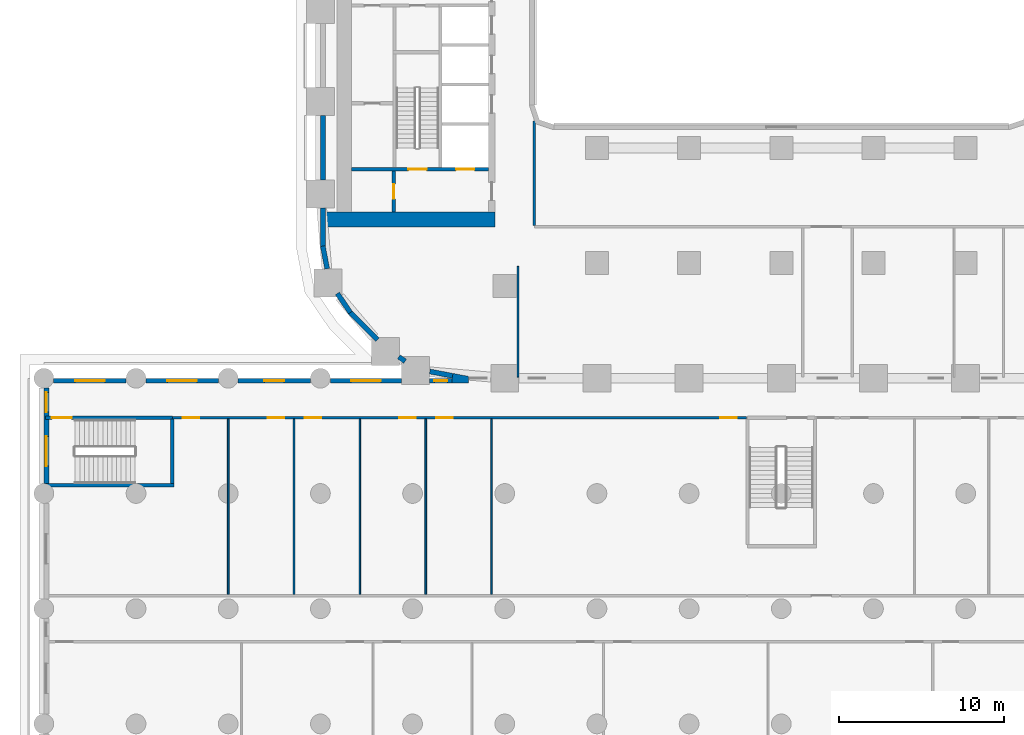
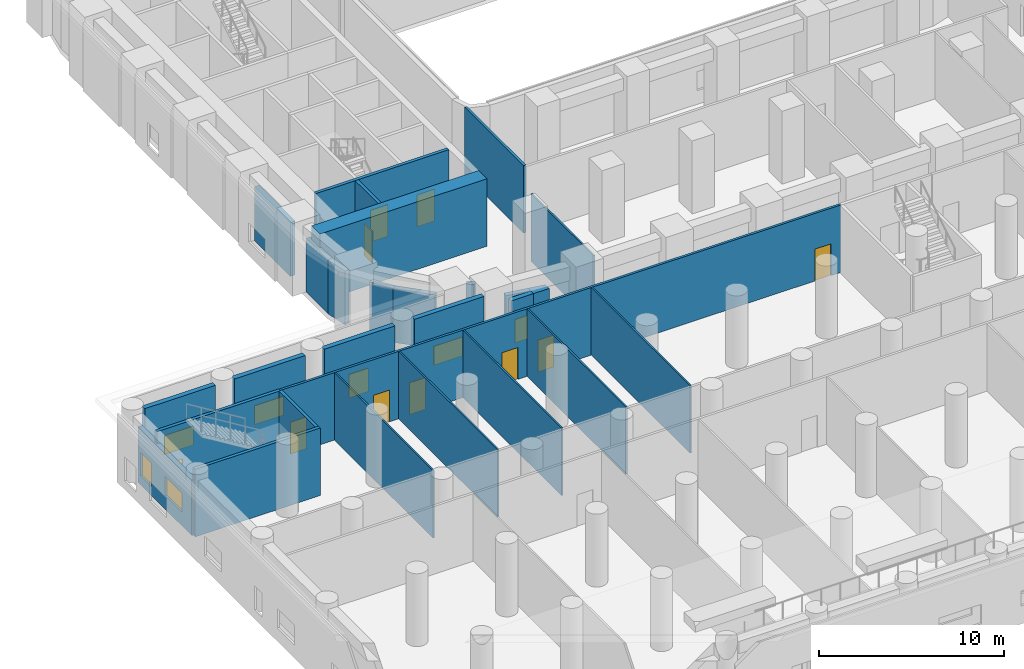
# One storey, part 10 of 27: 28 walls, 10 doors, 7 windows, 17 openings.
"""IFC4 building model written with IfcOpenShell, lengths in metres."""

from ifc_helpers import new_model, si_unit, direction, frame, frame_2d, origin, place, context, subcontext, project, spatial, polyline, rectangle, outline, extrude, material, layer, layer_set, type_object, element, fill, save


model = new_model("IFC4")

# Units and contexts
model_context = context("Model", 3, precision=1e-05, world=origin(), true_north=direction((0.0, 1.0)))
body_context = subcontext(model_context, "Body", "Model", "MODEL_VIEW")
ifc_project = project(units=[si_unit("LENGTHUNIT", "METRE"), si_unit("AREAUNIT", "SQUARE_METRE"), si_unit("VOLUMEUNIT", "CUBIC_METRE"), si_unit("PLANEANGLEUNIT", "RADIAN"), si_unit("MASSUNIT", "GRAM", prefix="KILO")], contexts=[model_context])

# Site, building, storey
site_placement = place(None, origin())
site = spatial("IfcSite", under=ifc_project, at=site_placement, CompositionType="ELEMENT")
building_placement = place(site_placement, origin())
building = spatial("IfcBuilding", under=site, at=building_placement, Name="Kiln Ring Residences", CompositionType="ELEMENT")
storey_placement = place(building_placement, frame((0.0, 0.0, 6.5)))
storey = spatial("IfcBuildingStorey", under=building, at=storey_placement, Name="L01", CompositionType="ELEMENT", Elevation=6.5)

# Wall, opening, door
ifc_material_1 = material(Name="Gypsum board on steel studs", Category="steel")
ifc_layer_1 = layer(ifc_material_1, 0.199951171875)
ifc_layer_set_1 = layer_set([ifc_layer_1], Name="CORE-PARTITION-200")
wall_type_1 = type_object("IfcWallType", Name="CORE-PARTITION-200", PredefinedType="PARTITIONING", material=ifc_layer_set_1)
wall_1_placement = place(storey_placement, frame((-23.550048828125, -12.300048828125, 0.0), z_axis=(0.0, 0.0, 1.0), x_axis=(0.0, 1.0, 0.0)))
wall_1 = element("IfcWall", 1, at=wall_1_placement, inside=storey, type_object=wall_type_1, Name="Core partition west L01 4", PredefinedType="PARTITIONING", context=body_context, shape_type="SweptSolid", body=[
    extrude(rectangle(XDim=2.5, YDim=0.199951171875, at=frame_2d((1.25, 0.0))), origin(), (0.0, 0.0, 1.0), 4.449951171875),
])
opening_1_placement = place(wall_1_placement, frame((0.800048828125, 0.0, 0.0)))
opening_1 = element("IfcOpeningElement", 2, at=opening_1_placement, cuts=wall_1, Name="Opening L01-CW10", PredefinedType="OPENING", context=body_context, shape_type="SweptSolid", body=[
    extrude(rectangle(XDim=0.89990234375, YDim=2.10009765625, at=frame_2d((0.449951171875, 1.050048828125))), frame((0.0, 0.10986328125, 0.0), z_axis=(0.0, -1.0, 0.0), x_axis=(1.0, 0.0, 0.0)), (0.0, 0.0, 1.0), 0.219970703125),
])
ifc_material_2 = material(Name="Steel door leaf", Category="steel")
door_type_1 = type_object("IfcDoorType", Name="CORE-DOOR-ROOM", OperationType="SINGLE_SWING_LEFT", PredefinedType="DOOR", material=ifc_material_2)
door_1_placement = place(opening_1_placement, origin())
door_1 = element("IfcDoor", 3, at=door_1_placement, inside=storey, type_object=door_type_1, Name="Store L01-CW10", OperationType="SINGLE_SWING_RIGHT", OverallHeight=2.10009765625, OverallWidth=0.89990234375, PredefinedType="DOOR", context=body_context, shape_type="SweptSolid", body=[
    extrude(rectangle(XDim=0.89990234375, YDim=2.10009765625, at=frame_2d((0.449951171875, 1.050048828125))), frame((0.0, 0.02490234375, 0.0), z_axis=(0.0, -1.0, 0.0), x_axis=(1.0, 0.0, 0.0)), (0.0, 0.0, 1.0), 0.050048828125),
])
fill(opening_1, door_1)

# Wall, openings, doors
ifc_material_3 = material(Name="Concrete C40/50", Category="concrete")
ifc_layer_2 = layer(ifc_material_3, 0.199951171875)
ifc_layer_set_2 = layer_set([ifc_layer_2], Name="CORE-WALL-RC200")
wall_type_2 = type_object("IfcWallType", Name="CORE-WALL-RC200", PredefinedType="SHEAR", material=ifc_layer_set_2)
wall_2_placement = place(storey_placement, frame((-17.800048828125, -9.699951171875, 0.0), z_axis=(0.0, 0.0, 1.0), x_axis=(-1.0, 0.0, 0.0)))
wall_2 = element("IfcWall", 4, at=wall_2_placement, inside=storey, type_object=wall_type_2, Name="Core wall west L01 8", PredefinedType="SHEAR", context=body_context, shape_type="SweptSolid", body=[
    extrude(rectangle(XDim=8.300048828125, YDim=0.199951171875, at=frame_2d((4.14990234375, 0.0))), origin(), (0.0, 0.0, 1.0), 4.449951171875),
])
opening_2_placement = place(wall_2_placement, frame((0.85009765625, 0.0, 0.0)))
opening_2 = element("IfcOpeningElement", 5, at=opening_2_placement, cuts=wall_2, Name="Opening L01-CW01", PredefinedType="OPENING", context=body_context, shape_type="SweptSolid", body=[
    extrude(rectangle(XDim=1.10009765625, YDim=2.10009765625, at=frame_2d((0.550048828125, 1.050048828125))), frame((0.0, 0.10986328125, 0.0), z_axis=(0.0, -1.0, 0.0), x_axis=(1.0, 0.0, 0.0)), (0.0, 0.0, 1.0), 0.219970703125),
])
opening_3_placement = place(wall_2_placement, frame((3.75, 0.0, 0.0)))
opening_3 = element("IfcOpeningElement", 6, at=opening_3_placement, cuts=wall_2, Name="Opening L01-CW12", PredefinedType="OPENING", context=body_context, shape_type="SweptSolid", body=[
    extrude(rectangle(XDim=1.10009765625, YDim=2.10009765625, at=frame_2d((0.550048828125, 1.050048828125))), frame((0.0, 0.10986328125, 0.0), z_axis=(0.0, -1.0, 0.0), x_axis=(1.0, 0.0, 0.0)), (0.0, 0.0, 1.0), 0.219970703125),
])
ifc_material_4 = material(Name="Steel door leaf", Category="steel")
door_type_2 = type_object("IfcDoorType", Name="CORE-DOOR-LD", OperationType="DOUBLE_DOOR_SLIDING", PredefinedType="DOOR", material=ifc_material_4)
door_2_placement = place(opening_2_placement, origin())
door_2 = element("IfcDoor", 7, at=door_2_placement, inside=storey, type_object=door_type_2, Name="LD W-SV L01-CW01", OperationType="DOUBLE_DOOR_SLIDING", OverallHeight=2.10009765625, OverallWidth=1.10009765625, PredefinedType="DOOR", context=body_context, shape_type="SweptSolid", body=[
    extrude(rectangle(XDim=1.10009765625, YDim=2.10009765625, at=frame_2d((0.550048828125, 1.050048828125))), frame((0.0, 0.02490234375, 0.0), z_axis=(0.0, -1.0, 0.0), x_axis=(1.0, 0.0, 0.0)), (0.0, 0.0, 1.0), 0.050048828125),
])
fill(opening_2, door_2)
ifc_material_5 = material(Name="Steel door leaf", Category="steel")
door_type_3 = type_object("IfcDoorType", Name="CORE-DOOR-STAIR", OperationType="SINGLE_SWING_LEFT", PredefinedType="DOOR", material=ifc_material_5)
door_3_placement = place(opening_3_placement, origin())
door_3 = element("IfcDoor", 8, at=door_3_placement, inside=storey, type_object=door_type_3, Name="Stair W-STS L01-CW12", OperationType="SINGLE_SWING_LEFT", OverallHeight=2.10009765625, OverallWidth=1.10009765625, PredefinedType="DOOR", context=body_context, shape_type="SweptSolid", body=[
    extrude(rectangle(XDim=1.10009765625, YDim=2.10009765625, at=frame_2d((0.550048828125, 1.050048828125))), frame((0.0, 0.02490234375, 0.0), z_axis=(0.0, -1.0, 0.0), x_axis=(1.0, 0.0, 0.0)), (0.0, 0.0, 1.0), 0.050048828125),
])
fill(opening_3, door_3)

# Walls
ifc_material_6 = material(Name="Concrete C60/75", Category="concrete")
ifc_layer_3 = layer(ifc_material_6, 0.89990234375)
ifc_layer_set_3 = layer_set([ifc_layer_3], Name="CORE-WALL-RC900")
wall_type_3 = type_object("IfcWallType", Name="CORE-WALL-RC900", PredefinedType="SHEAR", material=ifc_layer_set_3)
wall_3_placement = place(storey_placement, frame((-17.39990234375, -12.75, 0.0), z_axis=(0.0, 0.0, 1.0), x_axis=(-1.0, 0.0, 0.0)))
element("IfcWall", 9, at=wall_3_placement, inside=storey, type_object=wall_type_3, Name="Core wall west L01 5", PredefinedType="SHEAR", context=body_context, shape_type="SweptSolid", body=[
    extrude(rectangle(XDim=10.400146484375, YDim=0.89990234375, at=frame_2d((5.2001953125, 0.0))), origin(), (0.0, 0.0, 1.0), 4.449951171875),
])
ifc_material_7 = material(Name="Brick masonry, dark clay brick", Category="masonry")
ifc_layer_4 = layer(ifc_material_7, 0.300048828125)
ifc_layer_set_4 = layer_set([ifc_layer_4], Name="EW-300 BRICK WALL")
wall_type_4 = type_object("IfcWallType", Name="EW-300 BRICK WALL", PredefinedType="SOLIDWALL", material=ifc_layer_set_4)
wall_4_placement = place(storey_placement, frame((-27.85009765625, -6.449951171875, 0.0), z_axis=(0.0, 0.0, 1.0), x_axis=(0.0, -1.0, 0.0)))
element("IfcWall", 10, at=wall_4_placement, inside=storey, type_object=wall_type_4, Name="Facade wall L01 44", PredefinedType="SOLIDWALL", context=body_context, shape_type="SweptSolid", body=[
    extrude(rectangle(XDim=3.900146484375, YDim=0.300048828125, at=frame_2d((1.9501953125, 0.0))), origin(), (0.0, 0.0, 1.0), 3.550048828125),
])
wall_5_placement = place(storey_placement, frame((-27.85009765625, -12.050048828125, 0.0), z_axis=(0.0, 0.0, 1.0), x_axis=(0.0, -1.0, 0.0)))
element("IfcWall", 11, at=wall_5_placement, inside=storey, type_object=wall_type_4, Name="Facade wall L01 45", PredefinedType="SOLIDWALL", context=body_context, shape_type="SweptSolid", body=[
    extrude(rectangle(XDim=2.349853515625, YDim=0.300048828125, at=frame_2d((1.1748046875, 0.0))), origin(), (0.0, 0.0, 1.0), 3.550048828125),
])
for number, where, z_axis, x_axis, name in (
    (12, (-27.8525390625, -14.371826171875, 0.0), (0.0, 0.0, 1.0), (0.187327504018, -0.982297514116, 0.0), "Facade wall L01 46"),
    (13, (-26.96923828125, -17.249755859375, 0.0), (0.0, 0.0, 1.0), (0.562010802008, -0.827129892112, 0.0), "Facade wall L01 47"),
):
    element("IfcWall", number, at=place(storey_placement, frame(where, z_axis=z_axis, x_axis=x_axis)), inside=storey, type_object=wall_type_4, Name=name, PredefinedType="SOLIDWALL", context=body_context, shape_type="SweptSolid", body=[
        extrude(rectangle(XDim=1.40625, YDim=0.300048828125, at=frame_2d((0.703125, 0.0))), origin(), (0.0, 0.0, 1.0), 3.550048828125),
    ])
wall_6_placement = place(storey_placement, frame((-26.19677734375, -18.390869140625, 0.0), z_axis=(0.0, 0.0, 1.0), x_axis=(0.707054835785, -0.707158722772, 0.0)))
element("IfcWall", 14, at=wall_6_placement, inside=storey, type_object=wall_type_4, Name="Facade wall L01 48", PredefinedType="SOLIDWALL", context=body_context, shape_type="SweptSolid", body=[
    extrude(rectangle(XDim=2.35009765625, YDim=0.300048828125, at=frame_2d((1.175048828125, 0.0))), origin(), (0.0, 0.0, 1.0), 3.550048828125),
])
wall_7_placement = place(storey_placement, frame((-23.244384765625, -21.10107421875, 0.0), z_axis=(0.0, 0.0, 1.0), x_axis=(0.827135885329, -0.562001981492, 0.0)))
element("IfcWall", 15, at=wall_7_placement, inside=storey, type_object=wall_type_4, Name="Facade wall L01 49", PredefinedType="SOLIDWALL", context=body_context, shape_type="SweptSolid", body=[
    extrude(rectangle(XDim=0.47705078125, YDim=0.300048828125, at=frame_2d((0.238525390625, 0.0))), origin(), (0.0, 0.0, 1.0), 4.449951171875),
])
wall_8_placement = place(storey_placement, frame((-21.35302734375, -21.9892578125, 0.0), z_axis=(0.0, 0.0, 1.0), x_axis=(0.98229142023, -0.187359455971, 0.0)))
element("IfcWall", 16, at=wall_8_placement, inside=storey, type_object=wall_type_4, Name="Facade wall L01 50", PredefinedType="SOLIDWALL", context=body_context, shape_type="SweptSolid", body=[
    extrude(rectangle(XDim=1.406005859375, YDim=0.300048828125, at=frame_2d((0.703125, 0.0))), origin(), (0.0, 0.0, 1.0), 3.550048828125),
])

# Wall, opening, window
wall_9_placement = place(storey_placement, frame((-20.0, -22.550048828125, 0.0), z_axis=(0.0, 0.0, 1.0), x_axis=(-1.0, 0.0, 0.0)))
wall_9 = element("IfcWall", 17, at=wall_9_placement, inside=storey, type_object=wall_type_4, Name="Facade wall L01 51", PredefinedType="SOLIDWALL", context=body_context, shape_type="SweptSolid", body=[
    extrude(rectangle(XDim=1.358642578125, YDim=0.300048828125, at=frame_2d((0.67919921875, 0.0))), origin(), (0.0, 0.0, 1.0), 3.550048828125),
])
opening_4_placement = place(wall_9_placement, frame((0.279296875, 0.0, 0.60009765625)))
opening_4 = element("IfcOpeningElement", 18, at=opening_4_placement, cuts=wall_9, Name="Opening W5", PredefinedType="OPENING", context=body_context, shape_type="SweptSolid", body=[
    extrude(rectangle(XDim=0.800048828125, YDim=1.550048828125, at=frame_2d((0.39990234375, 0.77490234375))), frame((0.0, 0.159912109375, 0.0), z_axis=(0.0, -1.0, 0.0), x_axis=(1.0, 0.0, 0.0)), (0.0, 0.0, 1.0), 0.320068359375),
])
ifc_material_8 = material(Name="Aluminium frame with double glazing", Category="aluminium")
window_type_1 = type_object("IfcWindowType", Name="WINDOW 800 x 1550", PartitioningType="SINGLE_PANEL", PredefinedType="WINDOW", material=ifc_material_8)
window_1_placement = place(opening_4_placement, origin())
window_1 = element("IfcWindow", 19, at=window_1_placement, inside=storey, type_object=window_type_1, Name="Window L01 22", OverallHeight=1.550048828125, OverallWidth=0.800048828125, PartitioningType="SINGLE_PANEL", PredefinedType="WINDOW", context=body_context, shape_type="SweptSolid", body=[
    extrude(rectangle(XDim=0.800048828125, YDim=1.550048828125, at=frame_2d((0.39990234375, 0.77490234375))), frame((0.0, 0.030029296875, 0.0), z_axis=(0.0, -1.0, 0.0), x_axis=(1.0, 0.0, 0.0)), (0.0, 0.0, 1.0), 0.06005859375),
])
fill(opening_4, window_1)

wall_10_placement = place(storey_placement, frame((-23.05859375, -22.550048828125, 0.0), z_axis=(0.0, 0.0, 1.0), x_axis=(-1.0, 0.0, 0.0)))
wall_10 = element("IfcWall", 20, at=wall_10_placement, inside=storey, type_object=wall_type_4, Name="Facade wall L01 52", PredefinedType="SOLIDWALL", context=body_context, shape_type="SweptSolid", body=[
    extrude(rectangle(XDim=4.34130859375, YDim=0.300048828125, at=frame_2d((2.170654296875, 0.0))), origin(), (0.0, 0.0, 1.0), 4.449951171875),
])
opening_5_placement = place(wall_10_placement, frame((1.270751953125, 0.0, 0.89990234375)))
opening_5 = element("IfcOpeningElement", 21, at=opening_5_placement, cuts=wall_10, Name="Opening W2", PredefinedType="OPENING", context=body_context, shape_type="SweptSolid", body=[
    extrude(rectangle(XDim=1.800048828125, YDim=1.25, at=frame_2d((0.89990234375, 0.625))), frame((0.0, 0.159912109375, 0.0), z_axis=(0.0, -1.0, 0.0), x_axis=(1.0, 0.0, 0.0)), (0.0, 0.0, 1.0), 0.320068359375),
])
ifc_material_9 = material(Name="Aluminium frame with double glazing", Category="aluminium")
window_type_2 = type_object("IfcWindowType", Name="WINDOW 1800 x 1250", PartitioningType="SINGLE_PANEL", PredefinedType="WINDOW", material=ifc_material_9)
window_2_placement = place(opening_5_placement, origin())
window_2 = element("IfcWindow", 22, at=window_2_placement, inside=storey, type_object=window_type_2, Name="Window L01 23", OverallHeight=1.25, OverallWidth=1.800048828125, PartitioningType="SINGLE_PANEL", PredefinedType="WINDOW", context=body_context, shape_type="SweptSolid", body=[
    extrude(rectangle(XDim=1.800048828125, YDim=1.25, at=frame_2d((0.89990234375, 0.625))), frame((0.0, 0.030029296875, 0.0), z_axis=(0.0, -1.0, 0.0), x_axis=(1.0, 0.0, 0.0)), (0.0, 0.0, 1.0), 0.06005859375),
])
fill(opening_5, window_2)

wall_11_placement = place(storey_placement, frame((-28.60009765625, -22.550048828125, 0.0), z_axis=(0.0, 0.0, 1.0), x_axis=(-1.0, 0.0, 0.0)))
wall_11 = element("IfcWall", 23, at=wall_11_placement, inside=storey, type_object=wall_type_4, Name="Facade wall L01 53", PredefinedType="SOLIDWALL", context=body_context, shape_type="SweptSolid", body=[
    extrude(rectangle(XDim=4.39990234375, YDim=0.300048828125, at=frame_2d((2.199951171875, 0.0))), origin(), (0.0, 0.0, 1.0), 4.449951171875),
])
opening_6_placement = place(wall_11_placement, frame((1.60009765625, 0.0, 0.60009765625)))
opening_6 = element("IfcOpeningElement", 24, at=opening_6_placement, cuts=wall_11, Name="Opening W1", PredefinedType="OPENING", context=body_context, shape_type="SweptSolid", body=[
    extrude(rectangle(XDim=1.199951171875, YDim=1.550048828125, at=frame_2d((0.60009765625, 0.77490234375))), frame((0.0, 0.159912109375, 0.0), z_axis=(0.0, -1.0, 0.0), x_axis=(1.0, 0.0, 0.0)), (0.0, 0.0, 1.0), 0.320068359375),
])
ifc_material_10 = material(Name="Aluminium frame with double glazing", Category="aluminium")
window_type_3 = type_object("IfcWindowType", Name="WINDOW 1200 x 1550", PartitioningType="SINGLE_PANEL", PredefinedType="WINDOW", material=ifc_material_10)
window_3_placement = place(opening_6_placement, origin())
window_3 = element("IfcWindow", 25, at=window_3_placement, inside=storey, type_object=window_type_3, Name="Window L01 24", OverallHeight=1.550048828125, OverallWidth=1.199951171875, PartitioningType="SINGLE_PANEL", PredefinedType="WINDOW", context=body_context, shape_type="SweptSolid", body=[
    extrude(rectangle(XDim=1.199951171875, YDim=1.550048828125, at=frame_2d((0.60009765625, 0.77490234375))), frame((0.0, 0.030029296875, 0.0), z_axis=(0.0, -1.0, 0.0), x_axis=(1.0, 0.0, 0.0)), (0.0, 0.0, 1.0), 0.06005859375),
])
fill(opening_6, window_3)

wall_12_placement = place(storey_placement, frame((-34.199951171875, -22.550048828125, 0.0), z_axis=(0.0, 0.0, 1.0), x_axis=(-1.0, 0.0, 0.0)))
wall_12 = element("IfcWall", 26, at=wall_12_placement, inside=storey, type_object=wall_type_4, Name="Facade wall L01 54", PredefinedType="SOLIDWALL", context=body_context, shape_type="SweptSolid", body=[
    extrude(rectangle(XDim=4.400146484375, YDim=0.300048828125, at=frame_2d((2.2001953125, 0.0))), origin(), (0.0, 0.0, 1.0), 4.449951171875),
])
opening_7_placement = place(wall_12_placement, frame((1.300048828125, 0.0, 0.89990234375)))
opening_7 = element("IfcOpeningElement", 27, at=opening_7_placement, cuts=wall_12, Name="Opening W2", PredefinedType="OPENING", context=body_context, shape_type="SweptSolid", body=[
    extrude(rectangle(XDim=1.800048828125, YDim=1.25, at=frame_2d((0.89990234375, 0.625))), frame((0.0, 0.159912109375, 0.0), z_axis=(0.0, -1.0, 0.0), x_axis=(1.0, 0.0, 0.0)), (0.0, 0.0, 1.0), 0.320068359375),
])
window_4_placement = place(opening_7_placement, origin())
window_4 = element("IfcWindow", 28, at=window_4_placement, inside=storey, type_object=window_type_2, Name="Window L01 25", OverallHeight=1.25, OverallWidth=1.800048828125, PartitioningType="SINGLE_PANEL", PredefinedType="WINDOW", context=body_context, shape_type="SweptSolid", body=[
    extrude(rectangle(XDim=1.800048828125, YDim=1.25, at=frame_2d((0.89990234375, 0.625))), frame((0.0, 0.030029296875, 0.0), z_axis=(0.0, -1.0, 0.0), x_axis=(1.0, 0.0, 0.0)), (0.0, 0.0, 1.0), 0.06005859375),
])
fill(opening_7, window_4)

wall_13_placement = place(storey_placement, frame((-39.800048828125, -22.550048828125, 0.0), z_axis=(0.0, 0.0, 1.0), x_axis=(-1.0, 0.0, 0.0)))
wall_13 = element("IfcWall", 29, at=wall_13_placement, inside=storey, type_object=wall_type_4, Name="Facade wall L01 55", PredefinedType="SOLIDWALL", context=body_context, shape_type="SweptSolid", body=[
    extrude(rectangle(XDim=4.39990234375, YDim=0.300048828125, at=frame_2d((2.199951171875, 0.0))), origin(), (0.0, 0.0, 1.0), 4.449951171875),
])
opening_8_placement = place(wall_13_placement, frame((1.300048828125, 0.0, 0.89990234375)))
opening_8 = element("IfcOpeningElement", 30, at=opening_8_placement, cuts=wall_13, Name="Opening W2", PredefinedType="OPENING", context=body_context, shape_type="SweptSolid", body=[
    extrude(rectangle(XDim=1.800048828125, YDim=1.25, at=frame_2d((0.89990234375, 0.625))), frame((0.0, 0.159912109375, 0.0), z_axis=(0.0, -1.0, 0.0), x_axis=(1.0, 0.0, 0.0)), (0.0, 0.0, 1.0), 0.320068359375),
])
window_5_placement = place(opening_8_placement, origin())
window_5 = element("IfcWindow", 31, at=window_5_placement, inside=storey, type_object=window_type_2, Name="Window L01 26", OverallHeight=1.25, OverallWidth=1.800048828125, PartitioningType="SINGLE_PANEL", PredefinedType="WINDOW", context=body_context, shape_type="SweptSolid", body=[
    extrude(rectangle(XDim=1.800048828125, YDim=1.25, at=frame_2d((0.89990234375, 0.625))), frame((0.0, 0.030029296875, 0.0), z_axis=(0.0, -1.0, 0.0), x_axis=(1.0, 0.0, 0.0)), (0.0, 0.0, 1.0), 0.06005859375),
])
fill(opening_8, window_5)

# Wall, openings, windows
wall_14_placement = place(storey_placement, frame((-44.64990234375, -23.0, 0.0), z_axis=(0.0, 0.0, 1.0), x_axis=(0.0, -1.0, 0.0)))
wall_14 = element("IfcWall", 32, at=wall_14_placement, inside=storey, type_object=wall_type_4, Name="Facade wall L01 56", PredefinedType="SOLIDWALL", context=body_context, shape_type="SweptSolid", body=[
    extrude(rectangle(XDim=5.800048828125, YDim=0.300048828125, at=frame_2d((2.89990234375, 0.0))), origin(), (0.0, 0.0, 1.0), 3.64990234375),
])
opening_9_placement = place(wall_14_placement, frame((0.262451171875, 0.0, 0.60009765625)))
opening_9 = element("IfcOpeningElement", 33, at=opening_9_placement, cuts=wall_14, Name="Opening W1", PredefinedType="OPENING", context=body_context, shape_type="SweptSolid", body=[
    extrude(rectangle(XDim=1.199951171875, YDim=1.550048828125, at=frame_2d((0.60009765625, 0.77490234375))), frame((0.0, 0.159912109375, 0.0), z_axis=(0.0, -1.0, 0.0), x_axis=(1.0, 0.0, 0.0)), (0.0, 0.0, 1.0), 0.320068359375),
])
opening_10_placement = place(wall_14_placement, frame((2.9375, 0.0, 0.89990234375)))
opening_10 = element("IfcOpeningElement", 34, at=opening_10_placement, cuts=wall_14, Name="Opening W2", PredefinedType="OPENING", context=body_context, shape_type="SweptSolid", body=[
    extrude(rectangle(XDim=1.800048828125, YDim=1.25, at=frame_2d((0.89990234375, 0.625))), frame((0.0, 0.159912109375, 0.0), z_axis=(0.0, -1.0, 0.0), x_axis=(1.0, 0.0, 0.0)), (0.0, 0.0, 1.0), 0.320068359375),
])
window_6_placement = place(opening_9_placement, origin())
window_6 = element("IfcWindow", 35, at=window_6_placement, inside=storey, type_object=window_type_3, Name="Window L01 27", OverallHeight=1.550048828125, OverallWidth=1.199951171875, PartitioningType="SINGLE_PANEL", PredefinedType="WINDOW", context=body_context, shape_type="SweptSolid", body=[
    extrude(rectangle(XDim=1.199951171875, YDim=1.550048828125, at=frame_2d((0.60009765625, 0.77490234375))), frame((0.0, 0.030029296875, 0.0), z_axis=(0.0, -1.0, 0.0), x_axis=(1.0, 0.0, 0.0)), (0.0, 0.0, 1.0), 0.06005859375),
])
fill(opening_9, window_6)
window_7_placement = place(opening_10_placement, origin())
window_7 = element("IfcWindow", 36, at=window_7_placement, inside=storey, type_object=window_type_2, Name="Window L01 28", OverallHeight=1.25, OverallWidth=1.800048828125, PartitioningType="SINGLE_PANEL", PredefinedType="WINDOW", context=body_context, shape_type="SweptSolid", body=[
    extrude(rectangle(XDim=1.800048828125, YDim=1.25, at=frame_2d((0.89990234375, 0.625))), frame((0.0, 0.030029296875, 0.0), z_axis=(0.0, -1.0, 0.0), x_axis=(1.0, 0.0, 0.0)), (0.0, 0.0, 1.0), 0.06005859375),
])
fill(opening_10, window_7)

# Walls
wall_15_placement = place(storey_placement, origin())
element("IfcWall", 37, at=wall_15_placement, inside=storey, type_object=wall_type_4, Name="Corner wall L01 2", PredefinedType="SOLIDWALL", context=body_context, shape_type="SweptSolid", body=[
    extrude(outline(polyline([(-20.0, -22.699951171875), (-19.0, -22.699951171875), (-19.0, -22.285400390625), (-19.94384765625, -22.105224609375), (-20.0, -22.39990234375), (-20.0, -22.699951171875)])), origin(), (0.0, 0.0, 1.0), 3.550048828125),
])
ifc_material_11 = material(Name="Gypsum board on steel studs", Category="steel")
ifc_layer_5 = layer(ifc_material_11, 0.10009765625)
ifc_layer_set_5 = layer_set([ifc_layer_5], Name="PARTITION-100")
wall_type_5 = type_object("IfcWallType", Name="PARTITION-100", PredefinedType="PARTITIONING", material=ifc_layer_set_5)
for number, where, z_axis, x_axis, name in (
    (38, (-33.60009765625, -35.52490234375, 0.0), (0.0, 0.0, 1.0), (0.0, 1.0, 0.0), "Partition 018"),
    (39, (-29.60009765625, -35.52490234375, 0.0), (0.0, 0.0, 1.0), (0.0, 1.0, 0.0), "Partition 020"),
    (40, (-25.60009765625, -35.52490234375, 0.0), (0.0, 0.0, 1.0), (0.0, 1.0, 0.0), "Partition 021"),
    (41, (-21.60009765625, -35.52490234375, 0.0), (0.0, 0.0, 1.0), (0.0, 1.0, 0.0), "Partition 023"),
    (42, (-17.60009765625, -35.52490234375, 0.0), (0.0, 0.0, 1.0), (0.0, 1.0, 0.0), "Partition 026"),
):
    element("IfcWall", number, at=place(storey_placement, frame(where, z_axis=z_axis, x_axis=x_axis)), inside=storey, type_object=wall_type_5, Name=name, PredefinedType="PARTITIONING", context=body_context, shape_type="SweptSolid", body=[
        extrude(rectangle(XDim=10.64990234375, YDim=0.10009765625, at=frame_2d((5.324951171875, 0.0))), origin(), (0.0, 0.0, 1.0), 4.449951171875),
    ])
wall_16_placement = place(storey_placement, frame((-16.0, -22.324951171875, 0.0), z_axis=(0.0, 0.0, 1.0), x_axis=(0.0, 1.0, 0.0)))
element("IfcWall", 43, at=wall_16_placement, inside=storey, type_object=wall_type_5, Name="Partition 027", PredefinedType="PARTITIONING", context=body_context, shape_type="SweptSolid", body=[
    extrude(rectangle(XDim=6.724853515625, YDim=0.10009765625, at=frame_2d((3.3623046875, 0.0))), origin(), (0.0, 0.0, 1.0), 4.449951171875),
])

# Wall, openings, doors
ifc_material_12 = material(Name="Brick masonry partition", Category="masonry")
ifc_layer_6 = layer(ifc_material_12, 0.14990234375)
ifc_layer_set_6 = layer_set([ifc_layer_6], Name="PARTITION-150-ei60")
wall_type_6 = type_object("IfcWallType", Name="PARTITION-150-ei60", PredefinedType="PARTITIONING", material=ifc_layer_set_6)
wall_17_placement = place(storey_placement, frame((-37.0, -24.800048828125, 0.0), z_axis=(0.0, 0.0, 1.0), x_axis=(1.0, 0.0, 0.0)))
wall_17 = element("IfcWall", 44, at=wall_17_placement, inside=storey, type_object=wall_type_6, Name="Partition 007", PredefinedType="PARTITIONING", context=body_context, shape_type="SweptSolid", body=[
    extrude(rectangle(XDim=34.89990234375, YDim=0.14990234375, at=frame_2d((17.449951171875, 0.0))), origin(), (0.0, 0.0, 1.0), 4.449951171875),
])
opening_11_placement = place(wall_17_placement, frame((0.64990234375, 0.0, 0.0)))
opening_11 = element("IfcOpeningElement", 45, at=opening_11_placement, cuts=wall_17, Name="Opening L01-D011", PredefinedType="OPENING", context=body_context, shape_type="SweptSolid", body=[
    extrude(rectangle(XDim=1.0, YDim=2.10009765625, at=frame_2d((0.5, 1.050048828125))), frame((0.0, 0.0849609375, 0.0), z_axis=(0.0, -1.0, 0.0), x_axis=(1.0, 0.0, 0.0)), (0.0, 0.0, 1.0), 0.169921875),
])
opening_12_placement = place(wall_17_placement, frame((5.800048828125, 0.0, 0.0)))
opening_12 = element("IfcOpeningElement", 46, at=opening_12_placement, cuts=wall_17, Name="Opening L01-D012", PredefinedType="OPENING", context=body_context, shape_type="SweptSolid", body=[
    extrude(rectangle(XDim=1.0, YDim=2.10009765625, at=frame_2d((0.5, 1.050048828125))), frame((0.0, 0.0849609375, 0.0), z_axis=(0.0, -1.0, 0.0), x_axis=(1.0, 0.0, 0.0)), (0.0, 0.0, 1.0), 0.169921875),
])
opening_13_placement = place(wall_17_placement, frame((8.050048828125, 0.0, 0.0)))
opening_13 = element("IfcOpeningElement", 47, at=opening_13_placement, cuts=wall_17, Name="Opening L01-D013", PredefinedType="OPENING", context=body_context, shape_type="SweptSolid", body=[
    extrude(rectangle(XDim=1.0, YDim=2.10009765625, at=frame_2d((0.5, 1.050048828125))), frame((0.0, 0.0849609375, 0.0), z_axis=(0.0, -1.0, 0.0), x_axis=(1.0, 0.0, 0.0)), (0.0, 0.0, 1.0), 0.169921875),
])
opening_14_placement = place(wall_17_placement, frame((13.800048828125, 0.0, 0.0)))
opening_14 = element("IfcOpeningElement", 48, at=opening_14_placement, cuts=wall_17, Name="Opening L01-D014", PredefinedType="OPENING", context=body_context, shape_type="SweptSolid", body=[
    extrude(rectangle(XDim=1.0, YDim=2.10009765625, at=frame_2d((0.5, 1.050048828125))), frame((0.0, 0.0849609375, 0.0), z_axis=(0.0, -1.0, 0.0), x_axis=(1.0, 0.0, 0.0)), (0.0, 0.0, 1.0), 0.169921875),
])
opening_15_placement = place(wall_17_placement, frame((16.050048828125, 0.0, 0.0)))
opening_15 = element("IfcOpeningElement", 49, at=opening_15_placement, cuts=wall_17, Name="Opening L01-D015", PredefinedType="OPENING", context=body_context, shape_type="SweptSolid", body=[
    extrude(rectangle(XDim=1.0, YDim=2.10009765625, at=frame_2d((0.5, 1.050048828125))), frame((0.0, 0.0849609375, 0.0), z_axis=(0.0, -1.0, 0.0), x_axis=(1.0, 0.0, 0.0)), (0.0, 0.0, 1.0), 0.169921875),
])
opening_16_placement = place(wall_17_placement, frame((33.300048828125, 0.0, 0.0)))
opening_16 = element("IfcOpeningElement", 50, at=opening_16_placement, cuts=wall_17, Name="Opening L01-D016", PredefinedType="OPENING", context=body_context, shape_type="SweptSolid", body=[
    extrude(rectangle(XDim=1.0, YDim=2.10009765625, at=frame_2d((0.5, 1.050048828125))), frame((0.0, 0.0849609375, 0.0), z_axis=(0.0, -1.0, 0.0), x_axis=(1.0, 0.0, 0.0)), (0.0, 0.0, 1.0), 0.169921875),
])
ifc_material_13 = material(Name="Steel faced fire door leaf", Category="steel")
door_type_4 = type_object("IfcDoorType", Name="FLAT-DOOR-1000-FR", OperationType="SINGLE_SWING_LEFT", PredefinedType="DOOR", material=ifc_material_13)
door_4_placement = place(opening_11_placement, origin())
door_4 = element("IfcDoor", 51, at=door_4_placement, inside=storey, type_object=door_type_4, Name="Door L01-D011", OperationType="SINGLE_SWING_LEFT", OverallHeight=2.10009765625, OverallWidth=1.0, PredefinedType="DOOR", context=body_context, shape_type="SweptSolid", body=[
    extrude(rectangle(XDim=1.0, YDim=2.10009765625, at=frame_2d((0.5, 1.050048828125))), frame((0.0, 0.02490234375, 0.0), z_axis=(0.0, -1.0, 0.0), x_axis=(1.0, 0.0, 0.0)), (0.0, 0.0, 1.0), 0.050048828125),
])
fill(opening_11, door_4)
door_5_placement = place(opening_12_placement, origin())
door_5 = element("IfcDoor", 52, at=door_5_placement, inside=storey, type_object=door_type_4, Name="Door L01-D012", OperationType="SINGLE_SWING_RIGHT", OverallHeight=2.10009765625, OverallWidth=1.0, PredefinedType="DOOR", context=body_context, shape_type="SweptSolid", body=[
    extrude(rectangle(XDim=1.0, YDim=2.10009765625, at=frame_2d((0.5, 1.050048828125))), frame((0.0, 0.02490234375, 0.0), z_axis=(0.0, -1.0, 0.0), x_axis=(1.0, 0.0, 0.0)), (0.0, 0.0, 1.0), 0.050048828125),
])
fill(opening_12, door_5)
door_6_placement = place(opening_13_placement, origin())
door_6 = element("IfcDoor", 53, at=door_6_placement, inside=storey, type_object=door_type_4, Name="Door L01-D013", OperationType="SINGLE_SWING_LEFT", OverallHeight=2.10009765625, OverallWidth=1.0, PredefinedType="DOOR", context=body_context, shape_type="SweptSolid", body=[
    extrude(rectangle(XDim=1.0, YDim=2.10009765625, at=frame_2d((0.5, 1.050048828125))), frame((0.0, 0.02490234375, 0.0), z_axis=(0.0, -1.0, 0.0), x_axis=(1.0, 0.0, 0.0)), (0.0, 0.0, 1.0), 0.050048828125),
])
fill(opening_13, door_6)
door_7_placement = place(opening_14_placement, origin())
door_7 = element("IfcDoor", 54, at=door_7_placement, inside=storey, type_object=door_type_4, Name="Door L01-D014", OperationType="SINGLE_SWING_RIGHT", OverallHeight=2.10009765625, OverallWidth=1.0, PredefinedType="DOOR", context=body_context, shape_type="SweptSolid", body=[
    extrude(rectangle(XDim=1.0, YDim=2.10009765625, at=frame_2d((0.5, 1.050048828125))), frame((0.0, 0.02490234375, 0.0), z_axis=(0.0, -1.0, 0.0), x_axis=(1.0, 0.0, 0.0)), (0.0, 0.0, 1.0), 0.050048828125),
])
fill(opening_14, door_7)
door_8_placement = place(opening_15_placement, origin())
door_8 = element("IfcDoor", 55, at=door_8_placement, inside=storey, type_object=door_type_4, Name="Door L01-D015", OperationType="SINGLE_SWING_LEFT", OverallHeight=2.10009765625, OverallWidth=1.0, PredefinedType="DOOR", context=body_context, shape_type="SweptSolid", body=[
    extrude(rectangle(XDim=1.0, YDim=2.10009765625, at=frame_2d((0.5, 1.050048828125))), frame((0.0, 0.02490234375, 0.0), z_axis=(0.0, -1.0, 0.0), x_axis=(1.0, 0.0, 0.0)), (0.0, 0.0, 1.0), 0.050048828125),
])
fill(opening_15, door_8)
door_9_placement = place(opening_16_placement, origin())
door_9 = element("IfcDoor", 56, at=door_9_placement, inside=storey, type_object=door_type_4, Name="Door L01-D016", OperationType="SINGLE_SWING_RIGHT", OverallHeight=2.10009765625, OverallWidth=1.0, PredefinedType="DOOR", context=body_context, shape_type="SweptSolid", body=[
    extrude(rectangle(XDim=1.0, YDim=2.10009765625, at=frame_2d((0.5, 1.050048828125))), frame((0.0, 0.02490234375, 0.0), z_axis=(0.0, -1.0, 0.0), x_axis=(1.0, 0.0, 0.0)), (0.0, 0.0, 1.0), 0.050048828125),
])
fill(opening_16, door_9)

# Walls
wall_18_placement = place(storey_placement, frame((-15.0, -13.125, 0.0), z_axis=(0.0, 0.0, 1.0), x_axis=(0.0, 1.0, 0.0)))
element("IfcWall", 57, at=wall_18_placement, inside=storey, type_object=wall_type_6, Name="Partition 028", PredefinedType="PARTITIONING", context=body_context, shape_type="SweptSolid", body=[
    extrude(rectangle(XDim=6.356201171875, YDim=0.14990234375, at=frame_2d((3.17822265625, 0.0))), origin(), (0.0, 0.0, 1.0), 4.449951171875),
])
ifc_material_14 = material(Name="Concrete C40/50", Category="concrete")
ifc_layer_7 = layer(ifc_material_14, 0.199951171875)
ifc_layer_set_7 = layer_set([ifc_layer_7], Name="PODIUM-STAIR-WALL-200")
wall_type_7 = type_object("IfcWallType", Name="PODIUM-STAIR-WALL-200", PredefinedType="SHEAR", material=ifc_layer_set_7)
wall_19_placement = place(storey_placement, frame((-44.7099609375, -28.89990234375, 0.0), z_axis=(0.0, 0.0, 1.0), x_axis=(1.0, 0.0, 0.0)))
element("IfcWall", 58, at=wall_19_placement, inside=storey, type_object=wall_type_7, Name="Stair wall 005", PredefinedType="SHEAR", context=body_context, shape_type="SweptSolid", body=[
    extrude(rectangle(XDim=7.81005859375, YDim=0.199951171875, at=frame_2d((3.905029296875, 0.0))), origin(), (0.0, 0.0, 1.0), 4.449951171875),
])

# Wall, opening, door
wall_20_placement = place(storey_placement, frame((-44.7099609375, -24.800048828125, 0.0), z_axis=(0.0, 0.0, 1.0), x_axis=(1.0, 0.0, 0.0)))
wall_20 = element("IfcWall", 59, at=wall_20_placement, inside=storey, type_object=wall_type_7, Name="Stair wall 010", PredefinedType="SHEAR", context=body_context, shape_type="SweptSolid", body=[
    extrude(rectangle(XDim=7.7099609375, YDim=0.199951171875, at=frame_2d((3.85498046875, 0.0))), origin(), (0.0, 0.0, 1.0), 4.449951171875),
])
opening_17_placement = place(wall_20_placement, frame((0.39990234375, 0.0, 0.0)))
opening_17 = element("IfcOpeningElement", 60, at=opening_17_placement, cuts=wall_20, Name="Opening L01-D006", PredefinedType="OPENING", context=body_context, shape_type="SweptSolid", body=[
    extrude(rectangle(XDim=1.199951171875, YDim=2.10009765625, at=frame_2d((0.60009765625, 1.050048828125))), frame((0.0, 0.10986328125, 0.0), z_axis=(0.0, -1.0, 0.0), x_axis=(1.0, 0.0, 0.0)), (0.0, 0.0, 1.0), 0.219970703125),
])
ifc_material_15 = material(Name="Steel faced fire door leaf", Category="steel")
door_type_5 = type_object("IfcDoorType", Name="FLAT-DOOR-1200-FR", OperationType="SINGLE_SWING_LEFT", PredefinedType="DOOR", material=ifc_material_15)
door_10_placement = place(opening_17_placement, origin())
door_10 = element("IfcDoor", 61, at=door_10_placement, inside=storey, type_object=door_type_5, Name="Door L01-D006", OperationType="SINGLE_SWING_LEFT", OverallHeight=2.10009765625, OverallWidth=1.199951171875, PredefinedType="DOOR", context=body_context, shape_type="SweptSolid", body=[
    extrude(rectangle(XDim=1.199951171875, YDim=2.10009765625, at=frame_2d((0.60009765625, 1.050048828125))), frame((0.0, 0.02490234375, 0.0), z_axis=(0.0, -1.0, 0.0), x_axis=(1.0, 0.0, 0.0)), (0.0, 0.0, 1.0), 0.050048828125),
])
fill(opening_17, door_10)

# Wall
wall_21_placement = place(storey_placement, frame((-37.0, -28.800048828125, 0.0), z_axis=(0.0, 0.0, 1.0), x_axis=(0.0, 1.0, 0.0)))
element("IfcWall", 62, at=wall_21_placement, inside=storey, type_object=wall_type_7, Name="Stair wall 017", PredefinedType="SHEAR", context=body_context, shape_type="SweptSolid", body=[
    extrude(rectangle(XDim=3.925048828125, YDim=0.199951171875, at=frame_2d((1.96240234375, 0.0))), origin(), (0.0, 0.0, 1.0), 4.449951171875),
])

save(model, "model.ifc")
